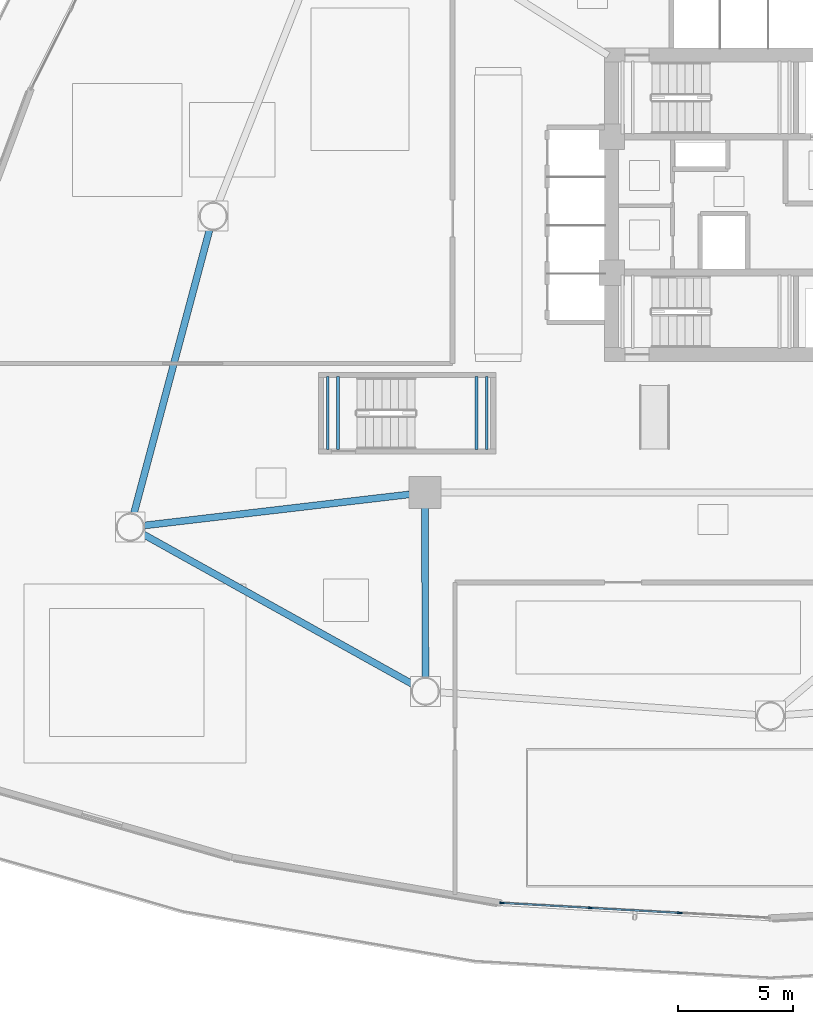
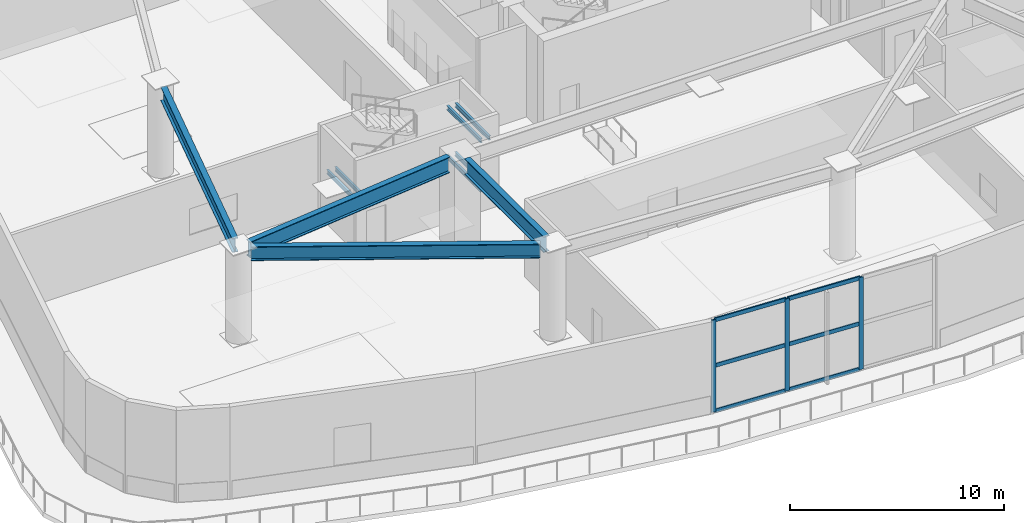
# One storey, part 2 of 26: 10 beams, 9 members, 1 element without a shape of its own.
"""IFC4 building model written with IfcOpenShell, lengths in metres."""

from ifc_helpers import new_model, si_unit, direction, frame, origin, origin_2d, place, context, subcontext, project, spatial, hollow_rectangle, i_section, extrude, source, transform, mapped, material, layer, layer_set, material_profile, profile_set, type_object, type_shapes, element, aggregate, save


model = new_model("IFC4")

# Units and contexts
model_context = context("Model", 3, precision=1e-05, world=origin(), true_north=direction((0.0, 1.0)))
body_context = subcontext(model_context, "Body", "Model", "MODEL_VIEW")
ifc_project = project(units=[si_unit("LENGTHUNIT", "METRE"), si_unit("AREAUNIT", "SQUARE_METRE"), si_unit("VOLUMEUNIT", "CUBIC_METRE"), si_unit("PLANEANGLEUNIT", "RADIAN"), si_unit("MASSUNIT", "GRAM", prefix="KILO")], contexts=[model_context])

# Site, building, storey
site_placement = place(None, origin())
site = spatial("IfcSite", under=ifc_project, at=site_placement, CompositionType="ELEMENT")
building_placement = place(site_placement, origin())
building = spatial("IfcBuilding", under=site, at=building_placement, Name="Tavelor Broadcast Tower", CompositionType="ELEMENT")
storey_placement = place(building_placement, frame((0.0, 0.0, 5.800048828125)))
storey = spatial("IfcBuildingStorey", under=building, at=storey_placement, Name="L01", CompositionType="ELEMENT", Elevation=5.800048828125)

# Beams
ifc_material_1 = material(Name="Steel S355", Category="steel")
ifc_material_profile_1 = material_profile(ifc_material_1, i_section(OverallWidth=0.300048828125, OverallDepth=0.800048828125, WebThickness=0.017578125, FlangeThickness=0.032958984375, at=origin_2d()), Name="HEB 800")
ifc_profile_set_1 = profile_set([ifc_material_profile_1], Name="Steel S355")
beam_type_1 = type_object("IfcBeamType", Name="Podium Spandrel Beam HEB800", PredefinedType="SPANDREL", material=ifc_profile_set_1)
beam_1_placement = place(storey_placement, frame((25.650634765625, 43.939697265625, 4.849853515625), z_axis=(-0.257669766751, -0.966233041922, 0.0), x_axis=(0.966233041922, -0.257669766751, 0.0)))
element("IfcBeam", 1, at=beam_1_placement, inside=storey, type_object=beam_type_1, Name="L01 Podium Spandrel Girder 4", PredefinedType="SPANDREL", context=body_context, shape_type="SweptSolid", body=[
    extrude(i_section(OverallWidth=0.300048828125, OverallDepth=0.800048828125, WebThickness=0.017578125, FlangeThickness=0.032958984375, at=origin_2d()), origin(), (0.0, 0.0, 1.0), 12.81201171875),
])
beam_2_placement = place(storey_placement, frame((22.706787109375, 30.718017578125, 4.849853515625), z_axis=(0.873837244076, -0.486218542289, 0.0), x_axis=(0.486218542289, 0.873837244076, 0.0)))
element("IfcBeam", 2, at=beam_2_placement, inside=storey, type_object=beam_type_1, Name="L01 Podium Spandrel Girder 5", PredefinedType="SPANDREL", context=body_context, shape_type="SweptSolid", body=[
    extrude(i_section(OverallWidth=0.300048828125, OverallDepth=0.800048828125, WebThickness=0.017578125, FlangeThickness=0.032958984375, at=origin_2d()), origin(), (0.0, 0.0, 1.0), 13.501953125),
])
ifc_material_profile_2 = material_profile(ifc_material_1, i_section(OverallWidth=0.1201171875, OverallDepth=0.239990234375, WebThickness=0.006103515625, FlangeThickness=0.009765625, at=origin_2d()), Name="IPE 240")
ifc_profile_set_2 = profile_set([ifc_material_profile_2], Name="Steel S355")
beam_type_2 = type_object("IfcBeamType", Name="Stairwell Landing Support Trimmer Beam IPE240", PredefinedType="BEAM", material=ifc_profile_set_2)
for number, where, z_axis, x_axis, name in (
    (3, (37.235107421875, 34.360107421875, 1.0849609375), (0.0, 1.0, 0.0), (-1.0, 0.0, 0.0), "L01 Stair Landing Support Beam 421"),
    (4, (37.675048828125, 34.360107421875, 1.0849609375), (0.0, 1.0, 0.0), (-1.0, 0.0, 0.0), "L01 Stair Landing Support Beam 422"),
    (5, (30.77490234375, 34.360107421875, 2.48486328125), (0.0, 1.0, 0.0), (-1.0, 0.0, 0.0), "L01 Stair Landing Support Beam 423"),
    (6, (31.215087890625, 34.360107421875, 2.48486328125), (0.0, 1.0, 0.0), (-1.0, 0.0, 0.0), "L01 Stair Landing Support Beam 424"),
    (7, (37.235107421875, 34.360107421875, 3.885009765625), (0.0, 1.0, 0.0), (-1.0, 0.0, 0.0), "L01 Stair Landing Support Beam 425"),
    (8, (37.675048828125, 34.360107421875, 3.885009765625), (0.0, 1.0, 0.0), (-1.0, 0.0, 0.0), "L01 Stair Landing Support Beam 426"),
):
    element("IfcBeam", number, at=place(storey_placement, frame(where, z_axis=z_axis, x_axis=x_axis)), inside=storey, type_object=beam_type_2, Name=name, PredefinedType="BEAM", context=body_context, shape_type="SweptSolid", body=[
        extrude(i_section(OverallWidth=0.1201171875, OverallDepth=0.239990234375, WebThickness=0.006103515625, FlangeThickness=0.009765625, at=origin_2d()), origin(), (0.0, 0.0, 1.0), 3.179931640625),
    ])
ifc_material_2 = material(Name="Steel S460", Category="steel")
ifc_material_profile_3 = material_profile(ifc_material_2, i_section(OverallWidth=0.300048828125, OverallDepth=0.89990234375, WebThickness=0.0185546875, FlangeThickness=0.034912109375, at=origin_2d()), Name="HEB 900")
ifc_profile_set_3 = profile_set([ifc_material_profile_3], Name="Steel S460")
beam_type_3 = type_object("IfcBeamType", Name="Studio Long-Span Girder HEB900", PredefinedType="BEAM", material=ifc_profile_set_3)
beam_3_placement = place(storey_placement, frame((34.32470703125, 32.4208984375, 4.800048828125), z_axis=(-0.993201817643, -0.116405109127, 0.0), x_axis=(0.116405109127, -0.993201817643, 0.0)))
element("IfcBeam", 9, at=beam_3_placement, inside=storey, type_object=beam_type_3, Name="L01 Clear-Span Studio Girder 5", PredefinedType="BEAM", context=body_context, shape_type="SweptSolid", body=[
    extrude(i_section(OverallWidth=0.300048828125, OverallDepth=0.89990234375, WebThickness=0.0185546875, FlangeThickness=0.034912109375, at=origin_2d()), origin(), (0.0, 0.0, 1.0), 11.627685546875),
])
beam_4_placement = place(storey_placement, frame((35.0009765625, 31.820068359375, 4.800048828125), z_axis=(0.00139146433, -0.999999031913, 0.0), x_axis=(0.999999031913, 0.00139146433, 0.0)))
element("IfcBeam", 10, at=beam_4_placement, inside=storey, type_object=beam_type_3, Name="L01 Clear-Span Studio Girder 6", PredefinedType="BEAM", context=body_context, shape_type="SweptSolid", body=[
    extrude(i_section(OverallWidth=0.300048828125, OverallDepth=0.89990234375, WebThickness=0.0185546875, FlangeThickness=0.034912109375, at=origin_2d()), origin(), (0.0, 0.0, 1.0), 7.369140625),
])

# Curtain wall, members
ifc_material_3 = material(Name="Architectural Anodized Aluminium", Category="aluminium")
ifc_layer = layer(ifc_material_3, 0.219970703125)
ifc_layer_set = layer_set([ifc_layer], Name="Architectural Anodized Aluminium")
curtain_wall_type = type_object("IfcCurtainWallType", Name="Podium Double-Height Broadcast Curtain Wall CW01", PredefinedType="NOTDEFINED", material=ifc_layer_set)
curtain_wall_placement = place(storey_placement, origin())
curtain_wall = element("IfcCurtainWall", 11, at=curtain_wall_placement, inside=storey, type_object=curtain_wall_type, Name="L01 Curtain Wall CW01 Run 3", PredefinedType="NOTDEFINED")
ifc_material_profile_4 = material_profile(ifc_material_3, hollow_rectangle(XDim=0.074951171875, YDim=0.219970703125, WallThickness=0.02197265625, at=origin_2d()), Name="RHS 75x220x22")
ifc_profile_set_4 = profile_set([ifc_material_profile_4], Name="Architectural Anodized Aluminium")
member_type_1 = type_object("IfcMemberType", Name="CW01 Extruded Aluminium Mullion 75x220", PredefinedType="MULLION", material=ifc_profile_set_4)
shared_shape_1 = source(origin(), body_context, "Body", "SweptSolid", [
    extrude(hollow_rectangle(XDim=0.074951171875, YDim=0.219970703125, WallThickness=0.02197265625, at=origin_2d()), origin(), (0.0, 0.0, 1.0), 5.25),
])
type_shapes(member_type_1, [shared_shape_1])
member_1_placement = place(storey_placement, frame((38.35791015625, 14.681884765625, 0.0), z_axis=(0.0, 0.0, 1.0), x_axis=(0.056102607872, 0.998425008396, 0.0)))
member_1 = element("IfcMember", 12, at=member_1_placement, type_object=member_type_1, Name="CW01 mullion 1", PredefinedType="MULLION", context=body_context, shape_type="MappedRepresentation", body=[
    mapped(shared_shape_1, transform((0.0, 0.0, 0.0), scale=1.0)),
])
member_2_placement = place(storey_placement, frame((42.18701171875, 14.466796875, 0.0), z_axis=(0.0, 0.0, 1.0), x_axis=(0.056102607872, 0.998425008396, 0.0)))
member_2 = element("IfcMember", 13, at=member_2_placement, type_object=member_type_1, Name="CW01 mullion 2", PredefinedType="MULLION", context=body_context, shape_type="MappedRepresentation", body=[
    mapped(shared_shape_1, transform((0.0, 0.0, 0.0), scale=1.0)),
])
member_3_placement = place(storey_placement, frame((46.053466796875, 14.24951171875, 0.0), z_axis=(0.0, 0.0, 1.0), x_axis=(0.056102607872, 0.998425008396, 0.0)))
member_3 = element("IfcMember", 14, at=member_3_placement, type_object=member_type_1, Name="CW01 mullion 3", PredefinedType="MULLION", context=body_context, shape_type="MappedRepresentation", body=[
    mapped(shared_shape_1, transform((0.0, 0.0, 0.0), scale=1.0)),
])
ifc_material_profile_5 = material_profile(ifc_material_3, hollow_rectangle(XDim=0.074951171875, YDim=0.219970703125, WallThickness=0.02197265625, at=origin_2d()), Name="RHS 75x220x22")
ifc_profile_set_5 = profile_set([ifc_material_profile_5], Name="Architectural Anodized Aluminium")
member_type_2 = type_object("IfcMemberType", Name="CW01 Extruded Aluminium Transom 75x220", PredefinedType="USERDEFINED", material=ifc_profile_set_5)
shared_shape_2 = source(origin(), body_context, "Body", "SweptSolid", [
    extrude(hollow_rectangle(XDim=0.074951171875, YDim=0.219970703125, WallThickness=0.02197265625, at=origin_2d()), origin(), (0.0, 0.0, 1.0), 3.760009765625),
])
member_4_placement = place(storey_placement, frame((38.395263671875, 14.6796875, 0.037353515625), z_axis=(0.998425192691, -0.056099327989, 0.0), x_axis=(0.056099327989, 0.998425192691, 0.0)))
member_4 = element("IfcMember", 15, at=member_4_placement, type_object=member_type_2, Name="CW01 transom 1.1", ObjectType="TRANSOM", PredefinedType="USERDEFINED", context=body_context, shape_type="MappedRepresentation", body=[
    mapped(shared_shape_2, transform((0.0, 0.0, 0.0), scale=1.0)),
])
member_5_placement = place(storey_placement, frame((38.395263671875, 14.6796875, 2.625), z_axis=(0.998425192691, -0.056099327989, 0.0), x_axis=(0.056099327989, 0.998425192691, 0.0)))
member_5 = element("IfcMember", 16, at=member_5_placement, type_object=member_type_2, Name="CW01 transom 1.2", ObjectType="TRANSOM", PredefinedType="USERDEFINED", context=body_context, shape_type="MappedRepresentation", body=[
    mapped(shared_shape_2, transform((0.0, 0.0, 0.0), scale=1.0)),
])
member_6_placement = place(storey_placement, frame((38.395263671875, 14.6796875, 5.21240234375), z_axis=(0.998425192691, -0.056099327989, 0.0), x_axis=(0.056099327989, 0.998425192691, 0.0)))
member_6 = element("IfcMember", 17, at=member_6_placement, type_object=member_type_2, Name="CW01 transom 1.3", ObjectType="TRANSOM", PredefinedType="USERDEFINED", context=body_context, shape_type="MappedRepresentation", body=[
    mapped(shared_shape_2, transform((0.0, 0.0, 0.0), scale=1.0)),
])
shared_shape_3 = source(origin(), body_context, "Body", "SweptSolid", [
    extrude(hollow_rectangle(XDim=0.074951171875, YDim=0.219970703125, WallThickness=0.02197265625, at=origin_2d()), origin(), (0.0, 0.0, 1.0), 3.7978515625),
])
type_shapes(member_type_2, [shared_shape_2, shared_shape_3])
member_7_placement = place(storey_placement, frame((42.224365234375, 14.464599609375, 0.037353515625), z_axis=(0.998423942718, -0.056121569892, 0.0), x_axis=(0.056121569892, 0.998423942718, 0.0)))
member_7 = element("IfcMember", 18, at=member_7_placement, type_object=member_type_2, Name="CW01 transom 2.1", ObjectType="TRANSOM", PredefinedType="USERDEFINED", context=body_context, shape_type="MappedRepresentation", body=[
    mapped(shared_shape_3, transform((0.0, 0.0, 0.0), scale=1.0)),
])
member_8_placement = place(storey_placement, frame((42.224365234375, 14.464599609375, 2.625), z_axis=(0.998423942718, -0.056121569892, 0.0), x_axis=(0.056121569892, 0.998423942718, 0.0)))
member_8 = element("IfcMember", 19, at=member_8_placement, type_object=member_type_2, Name="CW01 transom 2.2", ObjectType="TRANSOM", PredefinedType="USERDEFINED", context=body_context, shape_type="MappedRepresentation", body=[
    mapped(shared_shape_3, transform((0.0, 0.0, 0.0), scale=1.0)),
])
member_9_placement = place(storey_placement, frame((42.224365234375, 14.464599609375, 5.21240234375), z_axis=(0.998423942718, -0.056121569892, 0.0), x_axis=(0.056121569892, 0.998423942718, 0.0)))
member_9 = element("IfcMember", 20, at=member_9_placement, type_object=member_type_2, Name="CW01 transom 2.3", ObjectType="TRANSOM", PredefinedType="USERDEFINED", context=body_context, shape_type="MappedRepresentation", body=[
    mapped(shared_shape_3, transform((0.0, 0.0, 0.0), scale=1.0)),
])
aggregate(curtain_wall, [member_1, member_2, member_3, member_4, member_5, member_6, member_7, member_8, member_9])

save(model, "model.ifc")
